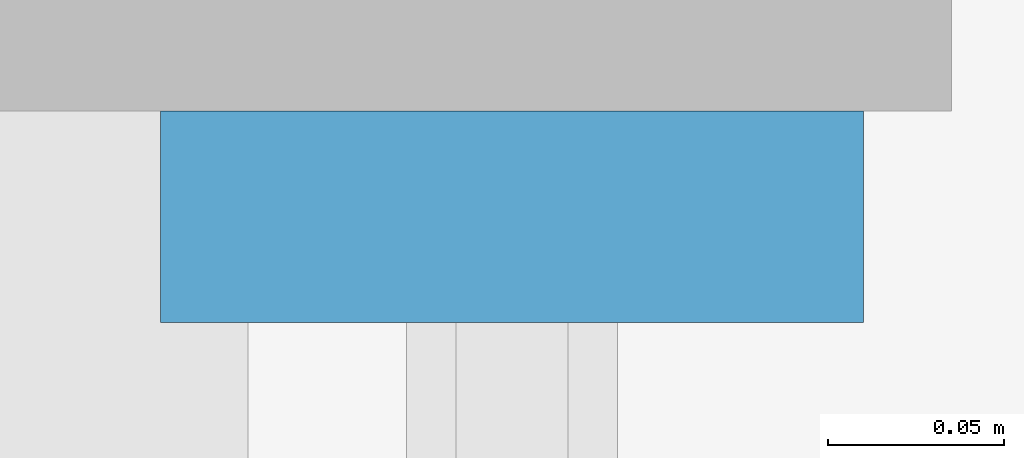
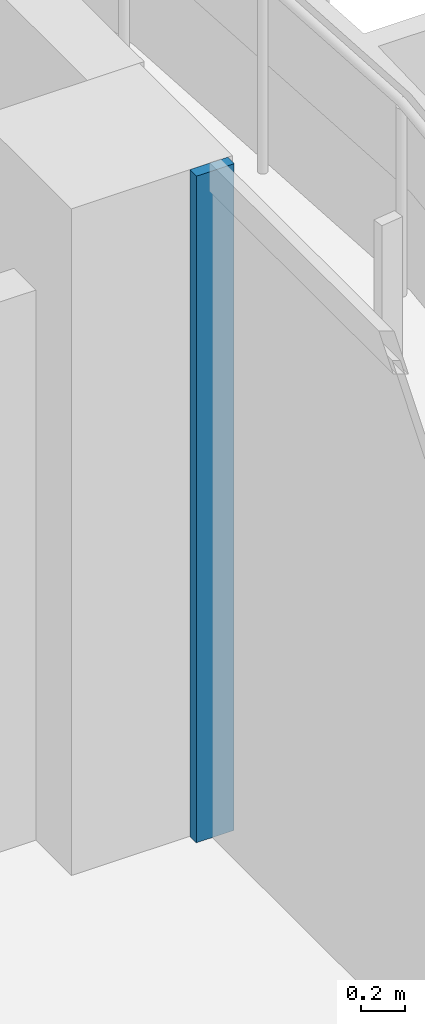
# One storey, part 8 of 26: 1 member, 1 element without a shape of its own.
"""IFC4 building model written with IfcOpenShell, lengths in metres."""

from ifc_helpers import new_model, si_unit, direction, frame, origin, origin_2d, place, context, subcontext, project, spatial, rectangle, extrude, source, transform, mapped, material, material_profile, profile_set, type_object, element, aggregate, save


model = new_model("IFC4")

# Units and contexts
model_context = context("Model", 3, precision=1e-05, world=origin(), true_north=direction((0.0, 1.0)))
body_context = subcontext(model_context, "Body", "Model", "MODEL_VIEW")
ifc_project = project(units=[si_unit("LENGTHUNIT", "METRE"), si_unit("AREAUNIT", "SQUARE_METRE"), si_unit("VOLUMEUNIT", "CUBIC_METRE"), si_unit("PLANEANGLEUNIT", "RADIAN"), si_unit("MASSUNIT", "GRAM", prefix="KILO")], contexts=[model_context])

# Site, building, storey
site_placement = place(None, origin())
site = spatial("IfcSite", under=ifc_project, at=site_placement, CompositionType="ELEMENT")
building_placement = place(site_placement, origin())
building = spatial("IfcBuilding", under=site, at=building_placement, Name="Kilnfold Tower and Market Hall", CompositionType="ELEMENT")
storey_placement = place(building_placement, frame((0.0, 0.0, 104.60009765625)))
storey = spatial("IfcBuildingStorey", under=building, at=storey_placement, Name="L24", CompositionType="ELEMENT", Elevation=104.60009765625)

# Curtain wall, member
ifc_material_1 = material(Name="Aluminium and double glazing", Category="aluminium")
curtain_wall_type = type_object("IfcCurtainWallType", Name="CW OF2 VALLEY GLAZING", PredefinedType="NOTDEFINED", material=ifc_material_1)
curtain_wall_placement = place(storey_placement, origin())
curtain_wall = element("IfcCurtainWall", 1, at=curtain_wall_placement, inside=storey, type_object=curtain_wall_type, Name="Curtain wall CW2 L24 E", PredefinedType="NOTDEFINED")
ifc_material_2 = material(Name="Aluminium", Category="aluminium")
ifc_material_profile = material_profile(ifc_material_2, rectangle(XDim=0.06005859375, YDim=0.199951171875, at=origin_2d()), Name="MULLION 60x200")
ifc_profile_set = profile_set([ifc_material_profile], Name="Aluminium")
member_type = type_object("IfcMemberType", Name="MULLION 60X200", PredefinedType="MULLION", material=ifc_profile_set)
shared_shape = source(origin(), body_context, "Body", "SweptSolid", [
    extrude(rectangle(XDim=0.06005859375, YDim=0.199951171875, at=origin_2d()), origin(), (0.0, 0.0, 1.0), 3.719970703125),
])
member_placement = place(storey_placement, frame((32.85009765625, 7.544921875, 0.0), z_axis=(0.0, 0.0, 1.0), x_axis=(0.0, 1.0, 0.0)))
member = element("IfcMember", 2, at=member_placement, type_object=member_type, Name="CW2 mullion 2", PredefinedType="MULLION", context=body_context, shape_type="MappedRepresentation", body=[
    mapped(shared_shape, transform((0.0, 0.0, 0.0))),
])
aggregate(curtain_wall, [member])

save(model, "model.ifc")
